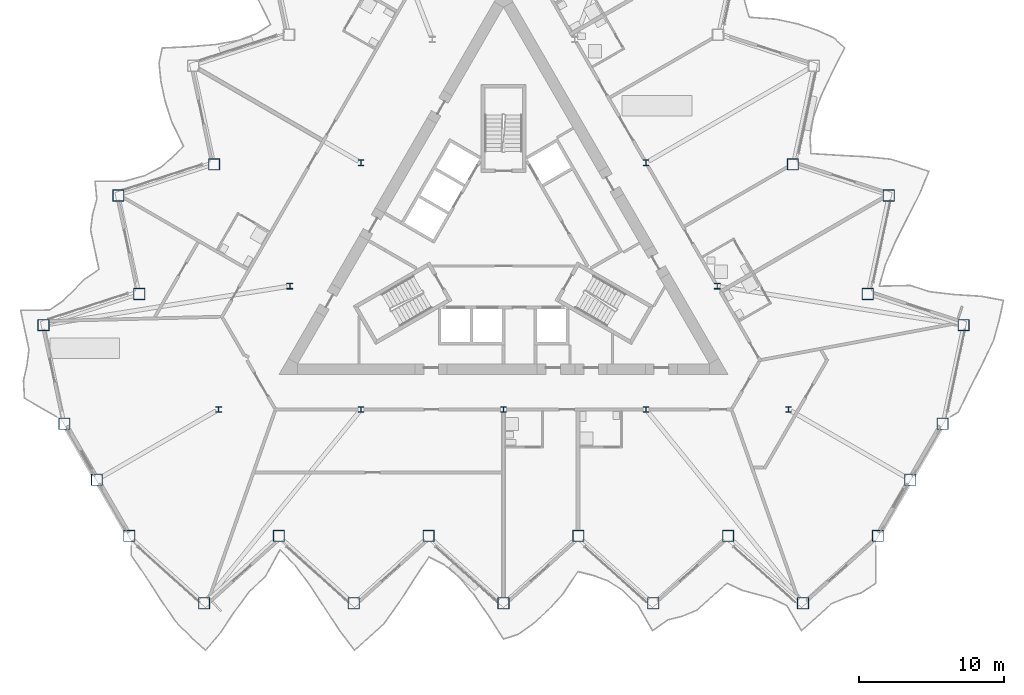
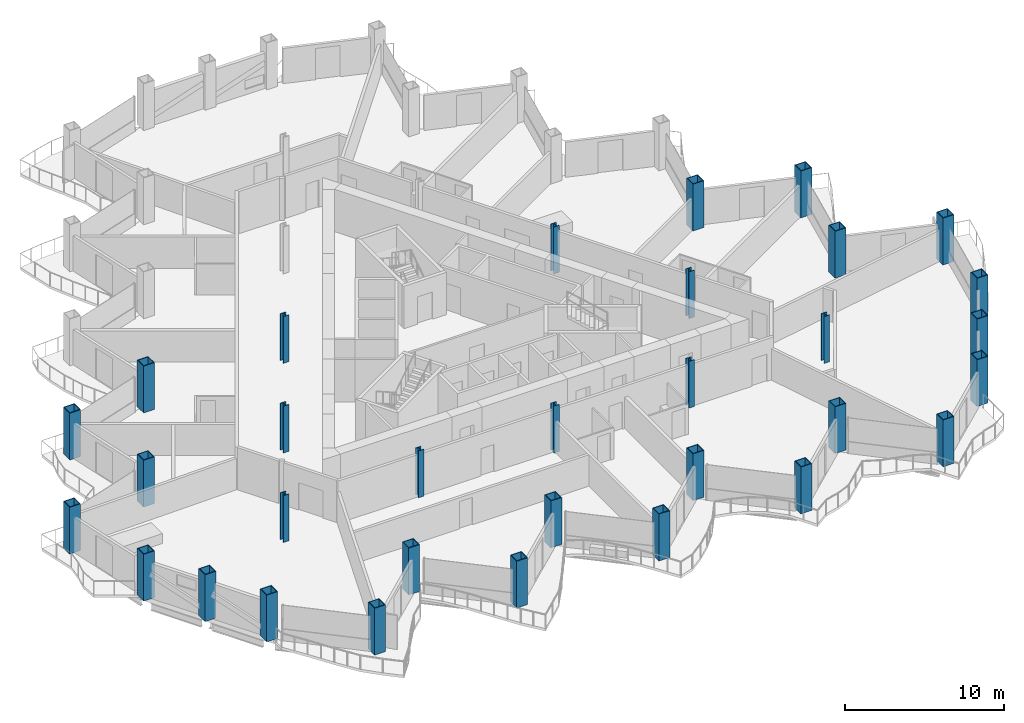
# One storey, part 1 of 22: 32 columns.
"""IFC4 building model written with IfcOpenShell, lengths in metres."""

import ifcopenshell
import ifcopenshell.guid

model = None  # the IFC model being written
_history = None  # IfcOwnerHistory: only IFC2X3 demands one
_inside = {}  # id of a spatial element -> (the spatial element, [elements in it])
_under = {}  # id of a project, library or spatial element -> (it, [spatial elements below it])
_declared = {}  # id of a project -> (the project, [libraries it declares])
_typed = {}  # id of a type object -> (the type object, [elements of that type])
_made_of = {}  # id of a material, layer set ... -> (it, [elements and type objects made of it])


def new_model(schema):
    """Start an empty IFC model of exactly this schema.

    Asked for "IFC4X3", IfcOpenShell would pick the latest addendum, in which some entities
    have other attributes; the version numbers below select the first issue.
    IFC2X3 requires an IfcOwnerHistory on every rooted entity: one is made here for all.
    """
    global model, _history
    if schema == "IFC4X3":
        model = ifcopenshell.file(schema_version=(4, 3, 0, 0))
    else:
        model = ifcopenshell.file(schema=schema)
    _inside.clear()
    _under.clear()
    _declared.clear()
    _typed.clear()
    _made_of.clear()
    _history = None
    if model.schema == "IFC2X3":
        org = make("IfcOrganization", Name="unknown")
        user = make(
            "IfcPersonAndOrganization",
            ThePerson=make("IfcPerson", FamilyName="unknown"),
            TheOrganization=org,
        )
        app = make(
            "IfcApplication",
            ApplicationDeveloper=org,
            Version="unknown",
            ApplicationFullName="unknown",
            ApplicationIdentifier="unknown",
        )
        _history = make(
            "IfcOwnerHistory",
            OwningUser=user,
            OwningApplication=app,
            ChangeAction="ADDED",
            CreationDate=0,
        )
    return model


def make(cls, **values):
    """One entity of the class cls with the attributes given. An attribute that is None is left unset."""
    return model.create_entity(
        cls, **{name: value for name, value in values.items() if value is not None}
    )


def rooted(cls, **values):
    """An entity with a GlobalId (a new one), such as an element, a storey or a relation."""
    return make(cls, GlobalId=ifcopenshell.guid.new(), OwnerHistory=_history, **values)


def si_unit(unit_type, name, prefix=None):
    """IfcSIUnit, for example si_unit("LENGTHUNIT", "METRE", prefix="MILLI")."""
    return make("IfcSIUnit", UnitType=unit_type, Prefix=prefix, Name=name)


def assignment(units):
    """IfcUnitAssignment: the units of a project."""
    return None if units is None else make("IfcUnitAssignment", Units=units)


def point(xyz):
    """IfcCartesianPoint."""
    return None if xyz is None else make("IfcCartesianPoint", Coordinates=xyz)


def direction(xyz):
    """IfcDirection."""
    return None if xyz is None else make("IfcDirection", DirectionRatios=xyz)


def frame(location, z_axis=None, x_axis=None):
    """IfcAxis2Placement3D, a coordinate frame: its origin and axes. An axis left out is left unset."""
    return make(
        "IfcAxis2Placement3D",
        Location=point(location),
        Axis=direction(z_axis),
        RefDirection=direction(x_axis),
    )


def frame_2d(location, x_axis=None):
    """IfcAxis2Placement2D, a coordinate frame in the plane: its origin and x axis."""
    return make(
        "IfcAxis2Placement2D", Location=point(location), RefDirection=direction(x_axis)
    )


def origin():
    """The frame at (0, 0, 0) with its axes left unset."""
    return frame((0.0, 0.0, 0.0))


def origin_2d():
    """The frame at (0, 0) in the plane with its x axis left unset."""
    return frame_2d((0.0, 0.0))


def place(relative_to, where):
    """IfcLocalPlacement: puts the frame where relative to a parent placement (None: the world)."""
    return make(
        "IfcLocalPlacement", PlacementRelTo=relative_to, RelativePlacement=where
    )


def context(
    kind, dimensions, precision=None, world=None, true_north=None, identifier=None
):
    """IfcGeometricRepresentationContext, for example the 3D "Model" context."""
    return make(
        "IfcGeometricRepresentationContext",
        ContextIdentifier=identifier,
        ContextType=kind,
        CoordinateSpaceDimension=dimensions,
        Precision=precision,
        WorldCoordinateSystem=world,
        TrueNorth=true_north,
    )


def subcontext(parent, identifier, kind, view, scale=None):
    """IfcGeometricRepresentationSubContext, for example "Body" below "Model"."""
    return make(
        "IfcGeometricRepresentationSubContext",
        ContextIdentifier=identifier,
        ContextType=kind,
        ParentContext=parent,
        TargetScale=scale,
        TargetView=view,
    )


def project(units=None, contexts=None):
    """IfcProject with its units and contexts."""
    return rooted(
        "IfcProject",
        Name="project",
        RepresentationContexts=contexts,
        UnitsInContext=assignment(units),
    )


def spatial(cls, under=None, at=None, **own):
    """A site, building, storey or space (cls), placed at a placement, below another one or the project."""
    s = rooted(cls, ObjectPlacement=at, **own)
    if under is not None:
        _under.setdefault(under.id(), (under, []))[1].append(s)
    return s


def profile(cls, at=None, kind="AREA", **sizes):
    """A parametric profile (cls). Its sizes go by their IFC names, for example OverallWidth=200.0."""
    return make(cls, ProfileType=kind, Position=at, **sizes)


def hollow_rectangle(**sizes):
    """IfcRectangleHollowProfileDef."""
    return profile("IfcRectangleHollowProfileDef", **sizes)


def i_section(**sizes):
    """IfcIShapeProfileDef."""
    return profile("IfcIShapeProfileDef", **sizes)


def extrude(swept, where, along, depth):
    """IfcExtrudedAreaSolid: the profile swept, set in the frame where, extruded along a direction by depth."""
    return make(
        "IfcExtrudedAreaSolid",
        SweptArea=swept,
        Position=where,
        ExtrudedDirection=direction(along),
        Depth=depth,
    )


def shape(context_of_items, identifier, shape_type, items):
    """IfcShapeRepresentation: the items that make up one representation, for example the "Body"."""
    return make(
        "IfcShapeRepresentation",
        ContextOfItems=context_of_items,
        RepresentationIdentifier=identifier,
        RepresentationType=shape_type,
        Items=items,
    )


def material(Name=None, Category=None):
    """IfcMaterial."""
    return make("IfcMaterial", Name=Name, Category=Category)


def material_profile(
    of_material, cross_section, Name=None, Category=None, Priority=None
):
    """IfcMaterialProfile: a cross section and its material."""
    return make(
        "IfcMaterialProfile",
        Name=Name,
        Material=of_material,
        Profile=cross_section,
        Priority=Priority,
        Category=Category,
    )


def profile_set(profiles, Name=None, composite=None):
    """IfcMaterialProfileSet."""
    return make(
        "IfcMaterialProfileSet",
        Name=Name,
        MaterialProfiles=profiles,
        CompositeProfile=composite,
    )


def made_of(thing, what):
    """Note that an element or type object is made of a material, layer set ...; save() writes the relation."""
    if what is not None:
        _made_of.setdefault(what.id(), (what, []))[1].append(thing)
    return thing


def type_object(cls, material=None, **own):
    """A type object (cls), such as IfcWallType, which elements share."""
    return made_of(rooted(cls, **own), material)


def element(
    cls,
    number,
    at=None,
    inside=None,
    cuts=None,
    type_object=None,
    material=None,
    context=None,
    identifier="Body",
    shape_type=None,
    held_by="IfcProductDefinitionShape",
    body=None,
    shapes=None,
    **own,
):
    """One element of the class cls, such as IfcWall. Its Tag is "e" and its number.

    at: its placement. inside: the storey or other place that contains it. cuts: it is an
    opening in that element (IfcRelVoidsElement). A single representation is given by context,
    identifier, shape_type and body (its items); several are given by shapes. held_by: the class
    of the entity that holds the representations. save() writes the other relations.
    """
    e = rooted(cls, Tag="e%d" % number, ObjectPlacement=at, **own)
    if body is not None:
        shapes = [shape(context, identifier, shape_type, body)]
    if shapes is not None:
        e.Representation = make(held_by, Representations=shapes)
    if inside is not None:
        _inside.setdefault(inside.id(), (inside, []))[1].append(e)
    if cuts is not None:
        rooted(
            "IfcRelVoidsElement", RelatingBuildingElement=cuts, RelatedOpeningElement=e
        )
    if type_object is not None:
        _typed.setdefault(type_object.id(), (type_object, []))[1].append(e)
    return made_of(e, material)


def aggregate(whole, parts):
    """IfcRelAggregates: a whole, such as a stair, and the parts it consists of."""
    return rooted("IfcRelAggregates", RelatingObject=whole, RelatedObjects=parts)


def save(model, path):
    """Write the relations noted so far, then the file.

    IfcRelAggregates (storeys below a building ...), IfcRelContainedInSpatialStructure (elements
    in a storey), IfcRelDefinesByType, IfcRelAssociatesMaterial and IfcRelDeclares: one each for
    every whole, place, type object, material and project.
    """
    for whole, parts in _under.values():
        aggregate(whole, parts)
    for where, things in _inside.values():
        rooted(
            "IfcRelContainedInSpatialStructure",
            RelatedElements=things,
            RelatingStructure=where,
        )
    for kind, things in _typed.values():
        rooted("IfcRelDefinesByType", RelatedObjects=things, RelatingType=kind)
    for what, things in _made_of.values():
        rooted("IfcRelAssociatesMaterial", RelatedObjects=things, RelatingMaterial=what)
    for by, libraries in _declared.values():
        rooted("IfcRelDeclares", RelatingContext=by, RelatedDefinitions=libraries)
    model.write(path)


model = new_model("IFC4")

# Units and contexts
model_context = context("Model", 3, precision=1e-05, world=origin(), true_north=direction((0.0, 1.0)))
body_context = subcontext(model_context, "Body", "Model", "MODEL_VIEW")
ifc_project = project(units=[si_unit("LENGTHUNIT", "METRE"), si_unit("AREAUNIT", "SQUARE_METRE"), si_unit("VOLUMEUNIT", "CUBIC_METRE"), si_unit("PLANEANGLEUNIT", "RADIAN"), si_unit("MASSUNIT", "GRAM", prefix="KILO")], contexts=[model_context])

# Site, building, storey
site_placement = place(None, origin())
site = spatial("IfcSite", under=ifc_project, at=site_placement, CompositionType="ELEMENT")
building_placement = place(site_placement, origin())
building = spatial("IfcBuilding", under=site, at=building_placement, Name="Cormorant Prow Tower", CompositionType="ELEMENT")
storey_placement = place(building_placement, frame((0.0, 0.0, 194.39990234375)))
storey = spatial("IfcBuildingStorey", under=building, at=storey_placement, Name="L42", CompositionType="ELEMENT", Elevation=194.39990234375)

# Columns
ifc_material_1 = material(Name="Structural steel ASTM A572 Gr 50", Category="steel")
ifc_material_profile_1 = material_profile(ifc_material_1, hollow_rectangle(XDim=0.800048828125, YDim=0.800048828125, WallThickness=0.050048828125, at=origin_2d()), Name="Box 800x800x50")
ifc_profile_set_1 = profile_set([ifc_material_profile_1], Name="Structural steel ASTM A572 Gr 50")
column_type_1 = type_object("IfcColumnType", Name="Perimeter box column 800x800x50", PredefinedType="COLUMN", material=ifc_profile_set_1)
for number, where, z_axis, x_axis, name in (
    (1, (-25.823486328125, -20.0712890625, 0.0), (0.0, 0.0, 1.0), (1.0, 0.0, 0.0), "Perimeter column C4 at S00 L42"),
    (2, (-20.658935546875, -24.7216796875, 0.0), (0.0, 0.0, 1.0), (1.0, 0.0, 0.0), "Perimeter column C4 at S01 L42"),
    (3, (-15.494140625, -20.0712890625, 0.0), (0.0, 0.0, 1.0), (1.0, 0.0, 0.0), "Perimeter column C4 at S02 L42"),
    (4, (-10.329345703125, -24.7216796875, 0.0), (0.0, 0.0, 1.0), (1.0, 0.0, 0.0), "Perimeter column C4 at S03 L42"),
    (5, (-5.164794921875, -20.0712890625, 0.0), (0.0, 0.0, 1.0), (1.0, 0.0, 0.0), "Perimeter column C4 at S04 L42"),
    (6, (0.0, -24.7216796875, 0.0), (0.0, 0.0, 1.0), (1.0, 0.0, 0.0), "Perimeter column C4 at S05 L42"),
    (7, (5.164794921875, -20.0712890625, 0.0), (0.0, 0.0, 1.0), (1.0, 0.0, 0.0), "Perimeter column C4 at S06 L42"),
    (8, (10.329345703125, -24.7216796875, 0.0), (0.0, 0.0, 1.0), (1.0, 0.0, 0.0), "Perimeter column C4 at S07 L42"),
    (9, (15.494140625, -20.0712890625, 0.0), (0.0, 0.0, 1.0), (1.0, 0.0, 0.0), "Perimeter column C4 at S08 L42"),
    (10, (20.658935546875, -24.7216796875, 0.0), (0.0, 0.0, 1.0), (1.0, 0.0, 0.0), "Perimeter column C4 at S09 L42"),
    (11, (25.823486328125, -20.0712890625, 0.0), (0.0, 0.0, 1.0), (1.0, 0.0, 0.0), "Perimeter column C4 at ESE00 L42"),
    (12, (28.058837890625, -16.19970703125, 0.0), (0.0, 0.0, 1.0), (1.0, 0.0, 0.0), "Perimeter column C4 at ESE01 L42"),
    (13, (30.2939453125, -12.328369140625, 0.0), (0.0, 0.0, 1.0), (1.0, 0.0, 0.0), "Perimeter column C4 at ENE00 L42"),
    (14, (31.739013671875, -5.5302734375, 0.0), (0.0, 0.0, 1.0), (1.0, 0.0, 0.0), "Perimeter column C4 at ENE01 L42"),
    (15, (25.12939453125, -3.3828125, 0.0), (0.0, 0.0, 1.0), (1.0, 0.0, 0.0), "Perimeter column C4 at ENE02 L42"),
    (16, (26.57421875, 3.415283203125, 0.0), (0.0, 0.0, 1.0), (1.0, 0.0, 0.0), "Perimeter column C4 at ENE03 L42"),
    (17, (19.964599609375, 5.562744140625, 0.0), (0.0, 0.0, 1.0), (1.0, 0.0, 0.0), "Perimeter column C4 at ENE04 L42"),
    (18, (-19.964599609375, 5.562744140625, 0.0), (0.0, 0.0, 1.0), (1.0, 0.0, 0.0), "Perimeter column C4 at WNW06 L42"),
    (19, (-26.57421875, 3.415283203125, 0.0), (0.0, 0.0, 1.0), (1.0, 0.0, 0.0), "Perimeter column C4 at WNW07 L42"),
    (20, (-25.12939453125, -3.3828125, 0.0), (0.0, 0.0, 1.0), (1.0, 0.0, 0.0), "Perimeter column C4 at WNW08 L42"),
    (21, (-31.739013671875, -5.5302734375, 0.0), (0.0, 0.0, 1.0), (1.0, 0.0, 0.0), "Perimeter column C4 at WNW09 L42"),
    (22, (-30.2939453125, -12.328369140625, 0.0), (0.0, 0.0, 1.0), (1.0, 0.0, 0.0), "Perimeter column C4 at WSW00 L42"),
    (23, (-28.058837890625, -16.19970703125, 0.0), (0.0, 0.0, 1.0), (1.0, 0.0, 0.0), "Perimeter column C4 at WSW01 L42"),
):
    element("IfcColumn", number, at=place(storey_placement, frame(where, z_axis=z_axis, x_axis=x_axis)), inside=storey, type_object=column_type_1, Name=name, PredefinedType="COLUMN", context=body_context, shape_type="SweptSolid", body=[
        extrude(hollow_rectangle(XDim=0.800048828125, YDim=0.800048828125, WallThickness=0.050048828125, at=origin_2d()), origin(), (0.0, 0.0, 1.0), 3.60009765625),
    ])
ifc_material_2 = material(Name="Structural steel ASTM A992 Gr 50", Category="steel")
ifc_material_profile_2 = material_profile(ifc_material_2, i_section(OverallWidth=0.403564453125, OverallDepth=0.407470703125, WebThickness=0.027099609375, FlangeThickness=0.043701171875, at=origin_2d()), Name="W14x233")
ifc_profile_set_2 = profile_set([ifc_material_profile_2], Name="Structural steel ASTM A992 Gr 50")
column_type_2 = type_object("IfcColumnType", Name="Ring column W14x233", PredefinedType="COLUMN", material=ifc_profile_set_2)
for number, where, z_axis, x_axis, name in (
    (24, (-9.828369140625, 5.674560546875, 0.0), (0.0, 0.0, 1.0), (1.0, 0.0, 0.0), "Ring column 3 L42"),
    (25, (-14.74267578125, -2.837158203125, 0.0), (0.0, 0.0, 1.0), (1.0, 0.0, 0.0), "Ring column 4 L42"),
    (26, (-19.656982421875, -11.348876953125, 0.0), (0.0, 0.0, 1.0), (1.0, 0.0, 0.0), "Ring column 5 L42"),
    (27, (-9.828369140625, -11.348876953125, 0.0), (0.0, 0.0, 1.0), (1.0, 0.0, 0.0), "Ring column 6 L42"),
    (28, (0.0, -11.348876953125, 0.0), (0.0, 0.0, 1.0), (1.0, 0.0, 0.0), "Ring column 7 L42"),
    (29, (9.828369140625, -11.348876953125, 0.0), (0.0, 0.0, 1.0), (1.0, 0.0, 0.0), "Ring column 8 L42"),
    (30, (19.656982421875, -11.348876953125, 0.0), (0.0, 0.0, 1.0), (1.0, 0.0, 0.0), "Ring column 9 L42"),
    (31, (14.74267578125, -2.837158203125, 0.0), (0.0, 0.0, 1.0), (1.0, 0.0, 0.0), "Ring column 10 L42"),
    (32, (9.828369140625, 5.674560546875, 0.0), (0.0, 0.0, 1.0), (1.0, 0.0, 0.0), "Ring column 11 L42"),
):
    element("IfcColumn", number, at=place(storey_placement, frame(where, z_axis=z_axis, x_axis=x_axis)), inside=storey, type_object=column_type_2, Name=name, PredefinedType="COLUMN", context=body_context, shape_type="SweptSolid", body=[
        extrude(i_section(OverallWidth=0.403564453125, OverallDepth=0.407470703125, WebThickness=0.027099609375, FlangeThickness=0.043701171875, at=origin_2d()), origin(), (0.0, 0.0, 1.0), 3.60009765625),
    ])

save(model, "model.ifc")
